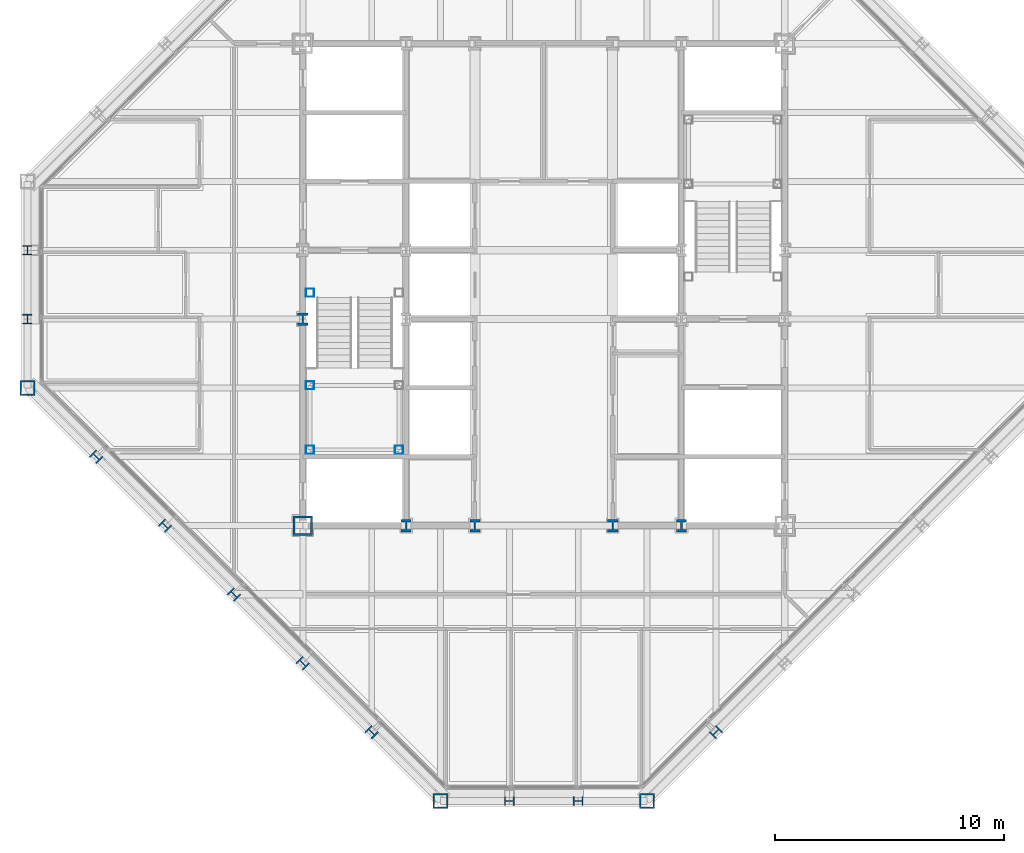
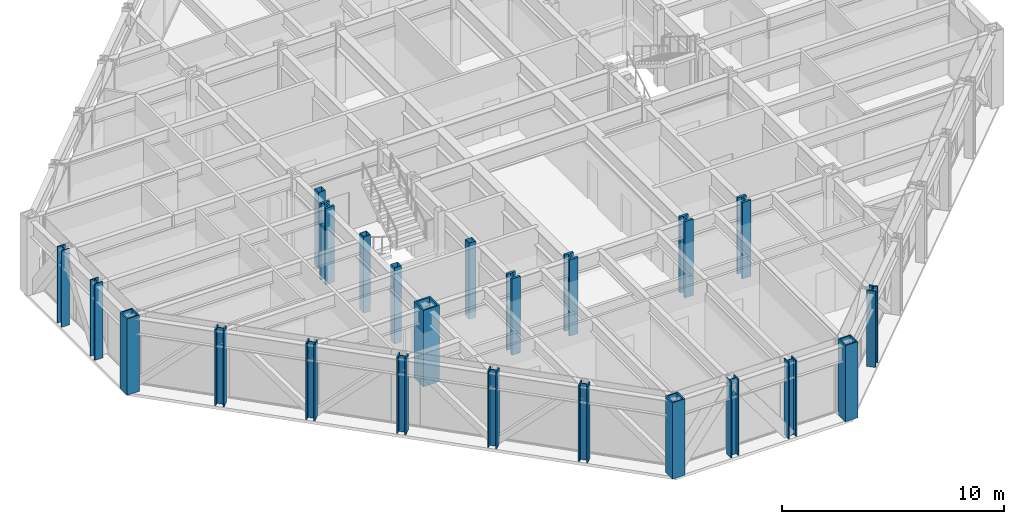
# One storey, part 1 of 15: 23 columns.
"""IFC4 building model written with IfcOpenShell, lengths in metres."""

from ifc_helpers import new_model, si_unit, direction, frame, origin, origin_2d, place, context, subcontext, project, spatial, hollow_rectangle, i_section, extrude, material, material_profile, profile_set, type_object, element, save


model = new_model("IFC4")

# Units and contexts
model_context = context("Model", 3, precision=1e-05, world=origin(), true_north=direction((0.0, 1.0)))
body_context = subcontext(model_context, "Body", "Model", "MODEL_VIEW")
ifc_project = project(units=[si_unit("LENGTHUNIT", "METRE"), si_unit("AREAUNIT", "SQUARE_METRE"), si_unit("VOLUMEUNIT", "CUBIC_METRE"), si_unit("PLANEANGLEUNIT", "RADIAN"), si_unit("MASSUNIT", "GRAM", prefix="KILO")], contexts=[model_context])

# Site, building, storey
site_placement = place(None, origin())
site = spatial("IfcSite", under=ifc_project, at=site_placement, CompositionType="ELEMENT")
building_placement = place(site_placement, origin())
building = spatial("IfcBuilding", under=site, at=building_placement, Name="Chuquiago Exchange Tower", CompositionType="ELEMENT")
storey_placement = place(building_placement, frame((0.0, 0.0, 274.800048828125)))
storey = spatial("IfcBuildingStorey", under=building, at=storey_placement, Name="L61", CompositionType="ELEMENT", Elevation=274.800048828125)

# Columns
ifc_material_1 = material(Name="Steel ASTM A992", Category="steel")
ifc_material_profile_1 = material_profile(ifc_material_1, i_section(OverallWidth=0.411376953125, OverallDepth=0.434326171875, WebThickness=0.035888671875, FlangeThickness=0.057373046875, at=origin_2d()), Name="W14X311")
ifc_profile_set_1 = profile_set([ifc_material_profile_1], Name="Steel ASTM A992")
column_type_1 = type_object("IfcColumnType", Name="C5 W14X311", PredefinedType="COLUMN", material=ifc_profile_set_1)
for number, where, z_axis, x_axis, name in (
    (1, (21.0, 0.0, 0.0), (0.0, 0.0, 1.0), (0.0, -1.0, 0.0), "COL-L61-21_0"),
    (2, (24.0, 0.0, 0.0), (0.0, 0.0, 1.0), (0.0, -1.0, 0.0), "COL-L61-24_0"),
    (3, (0.0, 24.0, 0.0), (0.0, 0.0, 1.0), (-1.0, 0.0, 0.0), "COL-L61-0_24"),
    (4, (0.0, 21.0, 0.0), (0.0, 0.0, 1.0), (-1.0, 0.0, 0.0), "COL-L61-0_21"),
):
    element("IfcColumn", number, at=place(storey_placement, frame(where, z_axis=z_axis, x_axis=x_axis)), inside=storey, type_object=column_type_1, Name=name, PredefinedType="COLUMN", context=body_context, shape_type="SweptSolid", body=[
        extrude(i_section(OverallWidth=0.411376953125, OverallDepth=0.434326171875, WebThickness=0.035888671875, FlangeThickness=0.057373046875, at=origin_2d()), origin(), (0.0, 0.0, 1.0), 4.199951171875),
    ])
ifc_material_2 = material(Name="Steel ASTM A992", Category="steel")
ifc_material_profile_2 = material_profile(ifc_material_2, i_section(OverallWidth=0.449462890625, OverallDepth=0.548583984375, WebThickness=0.07177734375, FlangeThickness=0.11474609375, at=origin_2d()), Name="W14X665")
ifc_profile_set_2 = profile_set([ifc_material_profile_2], Name="Steel ASTM A992")
column_type_2 = type_object("IfcColumnType", Name="CC5 W14X665", PredefinedType="COLUMN", material=ifc_profile_set_2)
for number, where, z_axis, x_axis, name in (
    (5, (16.5, 12.0, 0.0), (0.0, 0.0, 1.0), (1.0, 0.0, 0.0), "CCOL-L61-16.5_12"),
    (6, (19.5, 12.0, 0.0), (0.0, 0.0, 1.0), (1.0, 0.0, 0.0), "CCOL-L61-19.5_12"),
    (7, (25.5, 12.0, 0.0), (0.0, 0.0, 1.0), (1.0, 0.0, 0.0), "CCOL-L61-25.5_12"),
    (8, (28.5, 12.0, 0.0), (0.0, 0.0, 1.0), (1.0, 0.0, 0.0), "CCOL-L61-28.5_12"),
    (9, (12.0, 21.0, 0.0), (0.0, 0.0, 1.0), (1.0, 0.0, 0.0), "CCOL-L61-12_21"),
):
    element("IfcColumn", number, at=place(storey_placement, frame(where, z_axis=z_axis, x_axis=x_axis)), inside=storey, type_object=column_type_2, Name=name, PredefinedType="COLUMN", context=body_context, shape_type="SweptSolid", body=[
        extrude(i_section(OverallWidth=0.449462890625, OverallDepth=0.548583984375, WebThickness=0.07177734375, FlangeThickness=0.11474609375, at=origin_2d()), origin(), (0.0, 0.0, 1.0), 4.199951171875),
    ])
ifc_material_3 = material(Name="Steel ASTM A572 Grade 50", Category="steel")
ifc_material_profile_3 = material_profile(ifc_material_3, hollow_rectangle(XDim=0.85009765625, YDim=0.85009765625, WallThickness=0.0849609375, at=origin_2d()), Name="BOX850X850X85")
ifc_profile_set_3 = profile_set([ifc_material_profile_3], Name="Steel ASTM A572 Grade 50")
column_type_3 = type_object("IfcColumnType", Name="CC6 BOX850X850X85", PredefinedType="COLUMN", material=ifc_profile_set_3)
column_placement = place(storey_placement, frame((12.0, 12.0, 0.0), z_axis=(0.0, 0.0, 1.0), x_axis=(1.0, 0.0, 0.0)))
element("IfcColumn", 10, at=column_placement, inside=storey, type_object=column_type_3, Name="CCOL-L61-12_12", PredefinedType="COLUMN", context=body_context, shape_type="SweptSolid", body=[
    extrude(hollow_rectangle(XDim=0.85009765625, YDim=0.85009765625, WallThickness=0.0849609375, at=origin_2d()), origin(), (0.0, 0.0, 1.0), 4.199951171875),
])
ifc_material_4 = material(Name="Steel ASTM A992", Category="steel")
ifc_material_profile_4 = material_profile(ifc_material_4, i_section(OverallWidth=0.41650390625, OverallDepth=0.444580078125, WebThickness=0.0390625, FlangeThickness=0.062744140625, at=origin_2d()), Name="W14X342")
ifc_profile_set_4 = profile_set([ifc_material_profile_4], Name="Steel ASTM A992")
column_type_4 = type_object("IfcColumnType", Name="CK5 W14X342", PredefinedType="COLUMN", material=ifc_profile_set_4)
for number, where, z_axis, x_axis, name in (
    (11, (30.0, 3.0, 0.0), (0.0, 0.0, 1.0), (0.707106781187, -0.707106781187, 0.0), "COL-L61-30_3"),
    (12, (3.0, 15.0, 0.0), (0.0, 0.0, 1.0), (-0.707106781187, -0.707106781187, 0.0), "COL-L61-3_15"),
    (13, (6.0, 12.0, 0.0), (0.0, 0.0, 1.0), (-0.707106781187, -0.707106781187, 0.0), "COL-L61-6_12"),
    (14, (9.0, 9.0, 0.0), (0.0, 0.0, 1.0), (-0.707106781187, -0.707106781187, 0.0), "COL-L61-9_9"),
    (15, (12.0, 6.0, 0.0), (0.0, 0.0, 1.0), (-0.707106781187, -0.707106781187, 0.0), "COL-L61-12_6"),
    (16, (15.0, 3.0, 0.0), (0.0, 0.0, 1.0), (-0.707106781187, -0.707106781187, 0.0), "COL-L61-15_3"),
):
    element("IfcColumn", number, at=place(storey_placement, frame(where, z_axis=z_axis, x_axis=x_axis)), inside=storey, type_object=column_type_4, Name=name, PredefinedType="COLUMN", context=body_context, shape_type="SweptSolid", body=[
        extrude(i_section(OverallWidth=0.41650390625, OverallDepth=0.444580078125, WebThickness=0.0390625, FlangeThickness=0.062744140625, at=origin_2d()), origin(), (0.0, 0.0, 1.0), 4.199951171875),
    ])
ifc_material_5 = material(Name="Steel ASTM A572 Grade 50", Category="steel")
ifc_material_profile_5 = material_profile(ifc_material_5, hollow_rectangle(XDim=0.64990234375, YDim=0.64990234375, WallThickness=0.06494140625, at=origin_2d()), Name="BOX650X650X65")
ifc_profile_set_5 = profile_set([ifc_material_profile_5], Name="Steel ASTM A572 Grade 50")
column_type_5 = type_object("IfcColumnType", Name="CN2 BOX650X650X65", PredefinedType="COLUMN", material=ifc_profile_set_5)
for number, where, z_axis, x_axis, name in (
    (17, (18.0, 0.0, 0.0), (0.0, 0.0, 1.0), (0.0, -1.0, 0.0), "COL-L61-18_0"),
    (18, (27.0, 0.0, 0.0), (0.0, 0.0, 1.0), (0.0, -1.0, 0.0), "COL-L61-27_0"),
    (19, (0.0, 18.0, 0.0), (0.0, 0.0, 1.0), (-1.0, 0.0, 0.0), "COL-L61-0_18"),
):
    element("IfcColumn", number, at=place(storey_placement, frame(where, z_axis=z_axis, x_axis=x_axis)), inside=storey, type_object=column_type_5, Name=name, PredefinedType="COLUMN", context=body_context, shape_type="SweptSolid", body=[
        extrude(hollow_rectangle(XDim=0.64990234375, YDim=0.64990234375, WallThickness=0.06494140625, at=origin_2d()), origin(), (0.0, 0.0, 1.0), 4.199951171875),
    ])
ifc_material_6 = material(Name="Steel ASTM A500 Grade C", Category="steel")
ifc_material_profile_6 = material_profile(ifc_material_6, hollow_rectangle(XDim=0.355712890625, YDim=0.355712890625, WallThickness=0.0087890625, at=origin_2d()), Name="HSS14X14X3/8")
ifc_profile_set_6 = profile_set([ifc_material_profile_6], Name="Steel ASTM A500 Grade C")
column_type_6 = type_object("IfcColumnType", Name="PT1 HSS14X14X3/8", PredefinedType="COLUMN", material=ifc_profile_set_6)
for number, where, z_axis, x_axis, name in (
    (20, (12.31005859375, 15.31005859375, 0.0), (0.0, 0.0, 1.0), (1.0, 0.0, 0.0), "Stair ST1 L61 landing post"),
    (21, (16.18994140625, 15.31005859375, 0.0), (0.0, 0.0, 1.0), (1.0, 0.0, 0.0), "Stair ST1 L61 landing post"),
    (22, (12.31005859375, 18.110107421875, 0.0), (0.0, 0.0, 1.0), (1.0, 0.0, 0.0), "Stair ST1 L61 landing post"),
    (23, (12.31005859375, 22.14990234375, 0.0), (0.0, 0.0, 1.0), (1.0, 0.0, 0.0), "Stair ST1 L61 landing post"),
):
    element("IfcColumn", number, at=place(storey_placement, frame(where, z_axis=z_axis, x_axis=x_axis)), inside=storey, type_object=column_type_6, Name=name, PredefinedType="COLUMN", context=body_context, shape_type="SweptSolid", body=[
        extrude(hollow_rectangle(XDim=0.355712890625, YDim=0.355712890625, WallThickness=0.0087890625, at=origin_2d()), origin(), (0.0, 0.0, 1.0), 4.199951171875),
    ])

save(model, "model.ifc")
